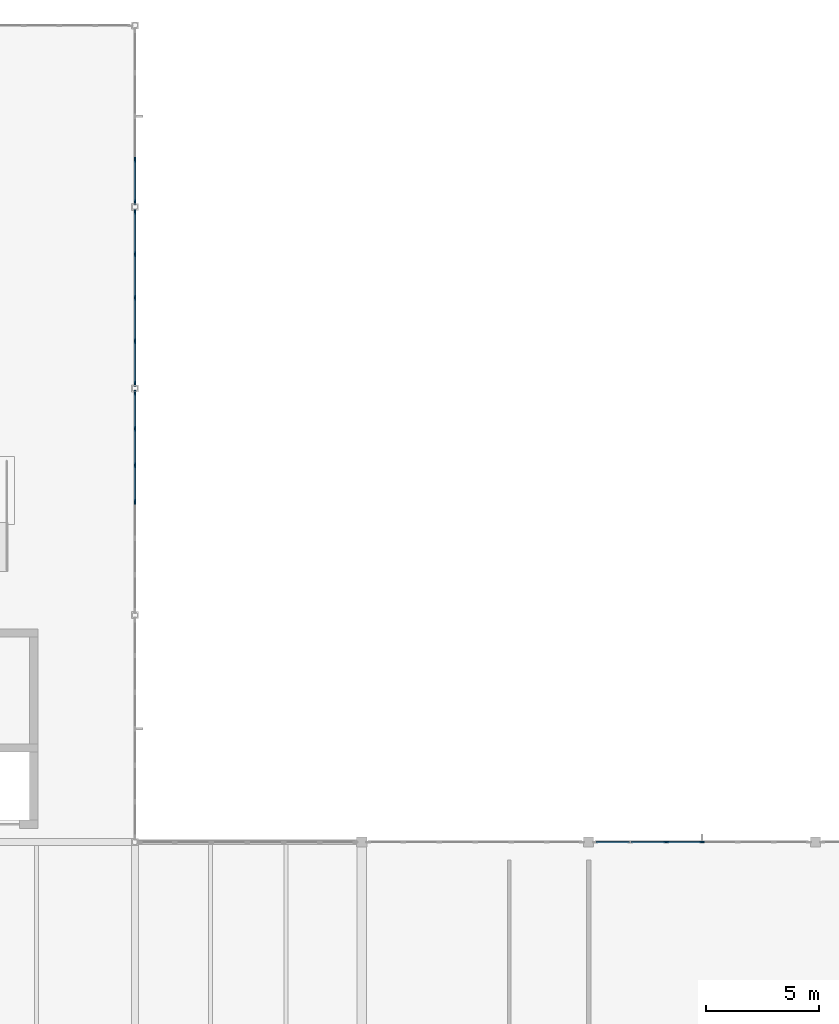
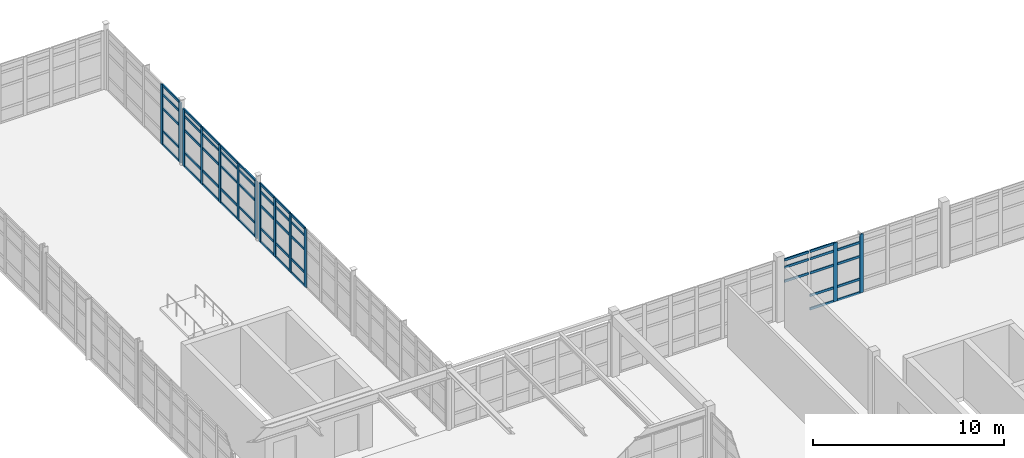
# One storey, part 69 of 122: 65 members, 4 elements without a shape of their own.
"""IFC4 building model written with IfcOpenShell, lengths in metres."""

from ifc_helpers import new_model, si_unit, direction, frame, origin, origin_2d, place, context, subcontext, project, spatial, rectangle, extrude, material, layer, layer_set, material_profile, profile_set, type_object, element, aggregate, save


model = new_model("IFC4")

# Units and contexts
model_context = context("Model", 3, precision=1e-05, world=origin(), true_north=direction((0.0, 1.0)))
body_context = subcontext(model_context, "Body", "Model", "MODEL_VIEW")
ifc_project = project(units=[si_unit("LENGTHUNIT", "METRE"), si_unit("AREAUNIT", "SQUARE_METRE"), si_unit("VOLUMEUNIT", "CUBIC_METRE"), si_unit("PLANEANGLEUNIT", "RADIAN"), si_unit("MASSUNIT", "GRAM", prefix="KILO"), si_unit("THERMODYNAMICTEMPERATUREUNIT", "KELVIN"), si_unit("POWERUNIT", "WATT")], contexts=[model_context])

# Site, building, storey
site_placement = place(None, origin())
site = spatial("IfcSite", under=ifc_project, at=site_placement, CompositionType="ELEMENT")
building_placement = place(site_placement, origin())
building = spatial("IfcBuilding", under=site, at=building_placement, Name="Korenveer Ferry Terminal", CompositionType="ELEMENT")
storey_placement = place(building_placement, frame((0.0, 0.0, 10.199951171875)))
storey = spatial("IfcBuildingStorey", under=building, at=storey_placement, Name="L02", CompositionType="ELEMENT", Elevation=10.199951171875)

# Curtain wall, members
ifc_material_1 = material(Name="Unitised bronze-and-glass curtain wall", Category="glass")
ifc_layer_1 = layer(ifc_material_1, 0.219970703125)
ifc_layer_set_1 = layer_set([ifc_layer_1], Name="Unitised bronze-and-glass curtain wall")
curtain_wall_type_1 = type_object("IfcCurtainWallType", Name="ENV-CW-100", PredefinedType="USERDEFINED", material=ifc_layer_set_1)
curtain_wall_1_placement = place(storey_placement, frame((156.2548828125, 80.0, 0.0)))
curtain_wall_1 = element("IfcCurtainWall", 1, at=curtain_wall_1_placement, inside=storey, type_object=curtain_wall_type_1, Name="Lancet curtain wall CWX-L02-X156-166-Y80-80", ObjectType="UNITISED CURTAIN WALL", PredefinedType="USERDEFINED")
ifc_material_2 = material(Name="Anodised bronze aluminium", Category="aluminium")
ifc_material_profile_1 = material_profile(ifc_material_2, rectangle(XDim=0.074951171875, YDim=0.219970703125, at=origin_2d()), Name="ALU 75x220")
ifc_profile_set_1 = profile_set([ifc_material_profile_1], Name="Anodised bronze aluminium")
member_type_1 = type_object("IfcMemberType", Name="ENV-CWM-75X220", PredefinedType="MULLION", material=ifc_profile_set_1)
member_1_placement = place(storey_placement, frame((159.418212890625, 80.0, 0.0), z_axis=(0.0, 0.0, 1.0), x_axis=(0.0, 1.0, 0.0)))
member_1 = element("IfcMember", 2, at=member_1_placement, type_object=member_type_1, Name="CW-100 mullion 3", PredefinedType="MULLION", context=body_context, shape_type="SweptSolid", body=[
    extrude(rectangle(XDim=0.074951171875, YDim=0.219970703125, at=origin_2d()), origin(), (0.0, 0.0, 1.0), 3.760009765625),
])
member_2_placement = place(storey_placement, frame((161.0, 80.0, 0.0), z_axis=(0.0, 0.0, 1.0), x_axis=(0.0, 1.0, 0.0)))
member_2 = element("IfcMember", 3, at=member_2_placement, type_object=member_type_1, Name="CW-100 mullion 4", PredefinedType="MULLION", context=body_context, shape_type="SweptSolid", body=[
    extrude(rectangle(XDim=0.074951171875, YDim=0.219970703125, at=origin_2d()), origin(), (0.0, 0.0, 1.0), 3.760009765625),
])

ifc_layer_2 = layer(ifc_material_1, 0.219970703125)
ifc_layer_set_2 = layer_set([ifc_layer_2], Name="Unitised bronze-and-glass curtain wall")
curtain_wall_type_2 = type_object("IfcCurtainWallType", Name="ENV-CW-111", PredefinedType="USERDEFINED", material=ifc_layer_set_2)
curtain_wall_2_placement = place(storey_placement, frame((136.0, 99.83349609375, 0.0)))
curtain_wall_2 = element("IfcCurtainWall", 4, at=curtain_wall_2_placement, inside=storey, type_object=curtain_wall_type_2, Name="Lancet curtain wall CWX-L02-X136-136-Y90-100", ObjectType="UNITISED CURTAIN WALL", PredefinedType="USERDEFINED")
member_3_placement = place(storey_placement, frame((136.0, 99.7958984375, 0.0), z_axis=(0.0, 0.0, 1.0), x_axis=(1.0, 0.0, 0.0)))
member_3 = element("IfcMember", 5, at=member_3_placement, type_object=member_type_1, Name="CW-111 mullion 1", PredefinedType="MULLION", context=body_context, shape_type="SweptSolid", body=[
    extrude(rectangle(XDim=0.074951171875, YDim=0.219970703125, at=origin_2d()), origin(), (0.0, 0.0, 1.0), 3.760009765625),
])
member_4_placement = place(storey_placement, frame((136.0, 98.222412109375, 0.0), z_axis=(0.0, 0.0, 1.0), x_axis=(1.0, 0.0, 0.0)))
member_4 = element("IfcMember", 6, at=member_4_placement, type_object=member_type_1, Name="CW-111 mullion 2", PredefinedType="MULLION", context=body_context, shape_type="SweptSolid", body=[
    extrude(rectangle(XDim=0.074951171875, YDim=0.219970703125, at=origin_2d()), origin(), (0.0, 0.0, 1.0), 3.760009765625),
])
member_5_placement = place(storey_placement, frame((136.0, 96.611083984375, 0.0), z_axis=(0.0, 0.0, 1.0), x_axis=(1.0, 0.0, 0.0)))
member_5 = element("IfcMember", 7, at=member_5_placement, type_object=member_type_1, Name="CW-111 mullion 3", PredefinedType="MULLION", context=body_context, shape_type="SweptSolid", body=[
    extrude(rectangle(XDim=0.074951171875, YDim=0.219970703125, at=origin_2d()), origin(), (0.0, 0.0, 1.0), 3.760009765625),
])
member_6_placement = place(storey_placement, frame((136.0, 95.0, 0.0), z_axis=(0.0, 0.0, 1.0), x_axis=(1.0, 0.0, 0.0)))
member_6 = element("IfcMember", 8, at=member_6_placement, type_object=member_type_1, Name="CW-111 mullion 4", PredefinedType="MULLION", context=body_context, shape_type="SweptSolid", body=[
    extrude(rectangle(XDim=0.074951171875, YDim=0.219970703125, at=origin_2d()), origin(), (0.0, 0.0, 1.0), 3.760009765625),
])

ifc_layer_3 = layer(ifc_material_1, 0.219970703125)
ifc_layer_set_3 = layer_set([ifc_layer_3], Name="Unitised bronze-and-glass curtain wall")
curtain_wall_type_3 = type_object("IfcCurtainWallType", Name="ENV-CW-112", PredefinedType="USERDEFINED", material=ifc_layer_set_3)
curtain_wall_3_placement = place(storey_placement, frame((136.0, 107.83349609375, 0.0)))
curtain_wall_3 = element("IfcCurtainWall", 9, at=curtain_wall_3_placement, inside=storey, type_object=curtain_wall_type_3, Name="Lancet curtain wall CWX-L02-X136-136-Y100-108", ObjectType="UNITISED CURTAIN WALL", PredefinedType="USERDEFINED")
member_7_placement = place(storey_placement, frame((136.0, 107.7958984375, 0.0), z_axis=(0.0, 0.0, 1.0), x_axis=(1.0, 0.0, 0.0)))
member_7 = element("IfcMember", 10, at=member_7_placement, type_object=member_type_1, Name="CW-112 mullion 1", PredefinedType="MULLION", context=body_context, shape_type="SweptSolid", body=[
    extrude(rectangle(XDim=0.074951171875, YDim=0.219970703125, at=origin_2d()), origin(), (0.0, 0.0, 1.0), 3.66015625),
])
member_8_placement = place(storey_placement, frame((136.0, 105.916748046875, 0.0), z_axis=(0.0, 0.0, 1.0), x_axis=(1.0, 0.0, 0.0)))
member_8 = element("IfcMember", 11, at=member_8_placement, type_object=member_type_1, Name="CW-112 mullion 2", PredefinedType="MULLION", context=body_context, shape_type="SweptSolid", body=[
    extrude(rectangle(XDim=0.074951171875, YDim=0.219970703125, at=origin_2d()), origin(), (0.0, 0.0, 1.0), 3.66015625),
])
member_9_placement = place(storey_placement, frame((136.0, 104.0, 0.0), z_axis=(0.0, 0.0, 1.0), x_axis=(1.0, 0.0, 0.0)))
member_9 = element("IfcMember", 12, at=member_9_placement, type_object=member_type_1, Name="CW-112 mullion 3", PredefinedType="MULLION", context=body_context, shape_type="SweptSolid", body=[
    extrude(rectangle(XDim=0.074951171875, YDim=0.219970703125, at=origin_2d()), origin(), (0.0, 0.0, 1.0), 3.66015625),
])
member_10_placement = place(storey_placement, frame((136.0, 102.083251953125, 0.0), z_axis=(0.0, 0.0, 1.0), x_axis=(1.0, 0.0, 0.0)))
member_10 = element("IfcMember", 13, at=member_10_placement, type_object=member_type_1, Name="CW-112 mullion 4", PredefinedType="MULLION", context=body_context, shape_type="SweptSolid", body=[
    extrude(rectangle(XDim=0.074951171875, YDim=0.219970703125, at=origin_2d()), origin(), (0.0, 0.0, 1.0), 3.66015625),
])
member_11_placement = place(storey_placement, frame((136.0, 100.2041015625, 0.0), z_axis=(0.0, 0.0, 1.0), x_axis=(1.0, 0.0, 0.0)))
member_11 = element("IfcMember", 14, at=member_11_placement, type_object=member_type_1, Name="CW-112 mullion 5", PredefinedType="MULLION", context=body_context, shape_type="SweptSolid", body=[
    extrude(rectangle(XDim=0.074951171875, YDim=0.219970703125, at=origin_2d()), origin(), (0.0, 0.0, 1.0), 3.66015625),
])

ifc_layer_4 = layer(ifc_material_1, 0.219970703125)
ifc_layer_set_4 = layer_set([ifc_layer_4], Name="Unitised bronze-and-glass curtain wall")
curtain_wall_type_4 = type_object("IfcCurtainWallType", Name="ENV-CW-113", PredefinedType="USERDEFINED", material=ifc_layer_set_4)
curtain_wall_4_placement = place(storey_placement, frame((136.0, 115.83349609375, 0.0)))
curtain_wall_4 = element("IfcCurtainWall", 15, at=curtain_wall_4_placement, inside=storey, type_object=curtain_wall_type_4, Name="Lancet curtain wall CWX-L02-X136-136-Y108-116", ObjectType="UNITISED CURTAIN WALL", PredefinedType="USERDEFINED")
member_12_placement = place(storey_placement, frame((136.0, 110.083251953125, 0.0), z_axis=(0.0, 0.0, 1.0), x_axis=(1.0, 0.0, 0.0)))
member_12 = element("IfcMember", 16, at=member_12_placement, type_object=member_type_1, Name="CW-113 mullion 4", PredefinedType="MULLION", context=body_context, shape_type="SweptSolid", body=[
    extrude(rectangle(XDim=0.074951171875, YDim=0.219970703125, at=origin_2d()), origin(), (0.0, 0.0, 1.0), 3.860107421875),
])
member_13_placement = place(storey_placement, frame((136.0, 108.2041015625, 0.0), z_axis=(0.0, 0.0, 1.0), x_axis=(1.0, 0.0, 0.0)))
member_13 = element("IfcMember", 17, at=member_13_placement, type_object=member_type_1, Name="CW-113 mullion 5", PredefinedType="MULLION", context=body_context, shape_type="SweptSolid", body=[
    extrude(rectangle(XDim=0.074951171875, YDim=0.219970703125, at=origin_2d()), origin(), (0.0, 0.0, 1.0), 3.860107421875),
])

# Member
ifc_material_profile_2 = material_profile(ifc_material_2, rectangle(XDim=0.074951171875, YDim=0.14990234375, at=origin_2d()), Name="ALU 75x150")
ifc_profile_set_2 = profile_set([ifc_material_profile_2], Name="Anodised bronze aluminium")
member_type_2 = type_object("IfcMemberType", Name="ENV-CWT-75X150", PredefinedType="USERDEFINED", material=ifc_profile_set_2)
member_14_placement = place(storey_placement, frame((156.330078125, 80.0, 2.35009765625), z_axis=(1.0, 0.0, 0.0), x_axis=(0.0, 1.0, 0.0)))
member_14 = element("IfcMember", 18, at=member_14_placement, type_object=member_type_2, Name="CW-100 transom 1.3", ObjectType="TRANSOM", PredefinedType="USERDEFINED", context=body_context, shape_type="SweptSolid", body=[
    extrude(rectangle(XDim=0.074951171875, YDim=0.14990234375, at=origin_2d()), origin(), (0.0, 0.0, 1.0), 1.468994140625),
])

member_15_placement = place(storey_placement, frame((156.330078125, 80.0, 3.25), z_axis=(1.0, 0.0, 0.0), x_axis=(0.0, 1.0, 0.0)))
member_15 = element("IfcMember", 19, at=member_15_placement, type_object=member_type_2, Name="CW-100 transom 1.4", ObjectType="TRANSOM", PredefinedType="USERDEFINED", context=body_context, shape_type="SweptSolid", body=[
    extrude(rectangle(XDim=0.074951171875, YDim=0.14990234375, at=origin_2d()), origin(), (0.0, 0.0, 1.0), 1.468994140625),
])

member_16_placement = place(storey_placement, frame((156.330078125, 80.0, 3.72265625), z_axis=(1.0, 0.0, 0.0), x_axis=(0.0, 1.0, 0.0)))
member_16 = element("IfcMember", 20, at=member_16_placement, type_object=member_type_2, Name="CW-100 transom 1.5", ObjectType="TRANSOM", PredefinedType="USERDEFINED", context=body_context, shape_type="SweptSolid", body=[
    extrude(rectangle(XDim=0.074951171875, YDim=0.14990234375, at=origin_2d()), origin(), (0.0, 0.0, 1.0), 1.468994140625),
])

member_17_placement = place(storey_placement, frame((157.874267578125, 80.0, 0.03759765625), z_axis=(1.0, 0.0, 0.0), x_axis=(0.0, 1.0, 0.0)))
member_17 = element("IfcMember", 21, at=member_17_placement, type_object=member_type_2, Name="CW-100 transom 2.1", ObjectType="TRANSOM", PredefinedType="USERDEFINED", context=body_context, shape_type="SweptSolid", body=[
    extrude(rectangle(XDim=0.074951171875, YDim=0.14990234375, at=origin_2d()), origin(), (0.0, 0.0, 1.0), 1.506591796875),
])

member_18_placement = place(storey_placement, frame((157.874267578125, 80.0, 0.900146484375), z_axis=(1.0, 0.0, 0.0), x_axis=(0.0, 1.0, 0.0)))
member_18 = element("IfcMember", 22, at=member_18_placement, type_object=member_type_2, Name="CW-100 transom 2.2", ObjectType="TRANSOM", PredefinedType="USERDEFINED", context=body_context, shape_type="SweptSolid", body=[
    extrude(rectangle(XDim=0.074951171875, YDim=0.14990234375, at=origin_2d()), origin(), (0.0, 0.0, 1.0), 1.506591796875),
])

member_19_placement = place(storey_placement, frame((157.874267578125, 80.0, 2.35009765625), z_axis=(1.0, 0.0, 0.0), x_axis=(0.0, 1.0, 0.0)))
member_19 = element("IfcMember", 23, at=member_19_placement, type_object=member_type_2, Name="CW-100 transom 2.3", ObjectType="TRANSOM", PredefinedType="USERDEFINED", context=body_context, shape_type="SweptSolid", body=[
    extrude(rectangle(XDim=0.074951171875, YDim=0.14990234375, at=origin_2d()), origin(), (0.0, 0.0, 1.0), 1.506591796875),
])

member_20_placement = place(storey_placement, frame((157.874267578125, 80.0, 3.25), z_axis=(1.0, 0.0, 0.0), x_axis=(0.0, 1.0, 0.0)))
member_20 = element("IfcMember", 24, at=member_20_placement, type_object=member_type_2, Name="CW-100 transom 2.4", ObjectType="TRANSOM", PredefinedType="USERDEFINED", context=body_context, shape_type="SweptSolid", body=[
    extrude(rectangle(XDim=0.074951171875, YDim=0.14990234375, at=origin_2d()), origin(), (0.0, 0.0, 1.0), 1.506591796875),
])

member_21_placement = place(storey_placement, frame((157.874267578125, 80.0, 3.72265625), z_axis=(1.0, 0.0, 0.0), x_axis=(0.0, 1.0, 0.0)))
member_21 = element("IfcMember", 25, at=member_21_placement, type_object=member_type_2, Name="CW-100 transom 2.5", ObjectType="TRANSOM", PredefinedType="USERDEFINED", context=body_context, shape_type="SweptSolid", body=[
    extrude(rectangle(XDim=0.074951171875, YDim=0.14990234375, at=origin_2d()), origin(), (0.0, 0.0, 1.0), 1.506591796875),
])

member_22_placement = place(storey_placement, frame((159.455810546875, 80.0, 0.03759765625), z_axis=(1.0, 0.0, 0.0), x_axis=(0.0, 1.0, 0.0)))
member_22 = element("IfcMember", 26, at=member_22_placement, type_object=member_type_2, Name="CW-100 transom 3.1", ObjectType="TRANSOM", PredefinedType="USERDEFINED", context=body_context, shape_type="SweptSolid", body=[
    extrude(rectangle(XDim=0.074951171875, YDim=0.14990234375, at=origin_2d()), origin(), (0.0, 0.0, 1.0), 1.506591796875),
])

member_23_placement = place(storey_placement, frame((159.455810546875, 80.0, 0.900146484375), z_axis=(1.0, 0.0, 0.0), x_axis=(0.0, 1.0, 0.0)))
member_23 = element("IfcMember", 27, at=member_23_placement, type_object=member_type_2, Name="CW-100 transom 3.2", ObjectType="TRANSOM", PredefinedType="USERDEFINED", context=body_context, shape_type="SweptSolid", body=[
    extrude(rectangle(XDim=0.074951171875, YDim=0.14990234375, at=origin_2d()), origin(), (0.0, 0.0, 1.0), 1.506591796875),
])

member_24_placement = place(storey_placement, frame((159.455810546875, 80.0, 2.35009765625), z_axis=(1.0, 0.0, 0.0), x_axis=(0.0, 1.0, 0.0)))
member_24 = element("IfcMember", 28, at=member_24_placement, type_object=member_type_2, Name="CW-100 transom 3.3", ObjectType="TRANSOM", PredefinedType="USERDEFINED", context=body_context, shape_type="SweptSolid", body=[
    extrude(rectangle(XDim=0.074951171875, YDim=0.14990234375, at=origin_2d()), origin(), (0.0, 0.0, 1.0), 1.506591796875),
])

member_25_placement = place(storey_placement, frame((159.455810546875, 80.0, 3.25), z_axis=(1.0, 0.0, 0.0), x_axis=(0.0, 1.0, 0.0)))
member_25 = element("IfcMember", 29, at=member_25_placement, type_object=member_type_2, Name="CW-100 transom 3.4", ObjectType="TRANSOM", PredefinedType="USERDEFINED", context=body_context, shape_type="SweptSolid", body=[
    extrude(rectangle(XDim=0.074951171875, YDim=0.14990234375, at=origin_2d()), origin(), (0.0, 0.0, 1.0), 1.506591796875),
])

aggregate(curtain_wall_1, [member_1, member_2, member_14, member_15, member_16, member_17, member_18, member_19, member_20, member_21, member_22, member_23, member_24, member_25])

member_26_placement = place(storey_placement, frame((136.0, 99.758544921875, 0.03759765625), z_axis=(0.0, -1.0, 0.0), x_axis=(1.0, 0.0, 0.0)))
member_26 = element("IfcMember", 30, at=member_26_placement, type_object=member_type_2, Name="CW-111 transom 1.1", ObjectType="TRANSOM", PredefinedType="USERDEFINED", context=body_context, shape_type="SweptSolid", body=[
    extrude(rectangle(XDim=0.074951171875, YDim=0.14990234375, at=origin_2d()), origin(), (0.0, 0.0, 1.0), 1.498779296875),
])

member_27_placement = place(storey_placement, frame((136.0, 99.758544921875, 0.900146484375), z_axis=(0.0, -1.0, 0.0), x_axis=(1.0, 0.0, 0.0)))
member_27 = element("IfcMember", 31, at=member_27_placement, type_object=member_type_2, Name="CW-111 transom 1.2", ObjectType="TRANSOM", PredefinedType="USERDEFINED", context=body_context, shape_type="SweptSolid", body=[
    extrude(rectangle(XDim=0.074951171875, YDim=0.14990234375, at=origin_2d()), origin(), (0.0, 0.0, 1.0), 1.498779296875),
])

member_28_placement = place(storey_placement, frame((136.0, 99.758544921875, 2.35009765625), z_axis=(0.0, -1.0, 0.0), x_axis=(1.0, 0.0, 0.0)))
member_28 = element("IfcMember", 32, at=member_28_placement, type_object=member_type_2, Name="CW-111 transom 1.3", ObjectType="TRANSOM", PredefinedType="USERDEFINED", context=body_context, shape_type="SweptSolid", body=[
    extrude(rectangle(XDim=0.074951171875, YDim=0.14990234375, at=origin_2d()), origin(), (0.0, 0.0, 1.0), 1.498779296875),
])

member_29_placement = place(storey_placement, frame((136.0, 99.758544921875, 3.25), z_axis=(0.0, -1.0, 0.0), x_axis=(1.0, 0.0, 0.0)))
member_29 = element("IfcMember", 33, at=member_29_placement, type_object=member_type_2, Name="CW-111 transom 1.4", ObjectType="TRANSOM", PredefinedType="USERDEFINED", context=body_context, shape_type="SweptSolid", body=[
    extrude(rectangle(XDim=0.074951171875, YDim=0.14990234375, at=origin_2d()), origin(), (0.0, 0.0, 1.0), 1.498779296875),
])

member_30_placement = place(storey_placement, frame((136.0, 99.758544921875, 3.72265625), z_axis=(0.0, -1.0, 0.0), x_axis=(1.0, 0.0, 0.0)))
member_30 = element("IfcMember", 34, at=member_30_placement, type_object=member_type_2, Name="CW-111 transom 1.5", ObjectType="TRANSOM", PredefinedType="USERDEFINED", context=body_context, shape_type="SweptSolid", body=[
    extrude(rectangle(XDim=0.074951171875, YDim=0.14990234375, at=origin_2d()), origin(), (0.0, 0.0, 1.0), 1.498779296875),
])

member_31_placement = place(storey_placement, frame((136.0, 98.184814453125, 0.03759765625), z_axis=(0.0, -1.0, 0.0), x_axis=(1.0, 0.0, 0.0)))
member_31 = element("IfcMember", 35, at=member_31_placement, type_object=member_type_2, Name="CW-111 transom 2.1", ObjectType="TRANSOM", PredefinedType="USERDEFINED", context=body_context, shape_type="SweptSolid", body=[
    extrude(rectangle(XDim=0.074951171875, YDim=0.14990234375, at=origin_2d()), origin(), (0.0, 0.0, 1.0), 1.5361328125),
])

member_32_placement = place(storey_placement, frame((136.0, 98.184814453125, 0.900146484375), z_axis=(0.0, -1.0, 0.0), x_axis=(1.0, 0.0, 0.0)))
member_32 = element("IfcMember", 36, at=member_32_placement, type_object=member_type_2, Name="CW-111 transom 2.2", ObjectType="TRANSOM", PredefinedType="USERDEFINED", context=body_context, shape_type="SweptSolid", body=[
    extrude(rectangle(XDim=0.074951171875, YDim=0.14990234375, at=origin_2d()), origin(), (0.0, 0.0, 1.0), 1.5361328125),
])

member_33_placement = place(storey_placement, frame((136.0, 98.184814453125, 2.35009765625), z_axis=(0.0, -1.0, 0.0), x_axis=(1.0, 0.0, 0.0)))
member_33 = element("IfcMember", 37, at=member_33_placement, type_object=member_type_2, Name="CW-111 transom 2.3", ObjectType="TRANSOM", PredefinedType="USERDEFINED", context=body_context, shape_type="SweptSolid", body=[
    extrude(rectangle(XDim=0.074951171875, YDim=0.14990234375, at=origin_2d()), origin(), (0.0, 0.0, 1.0), 1.5361328125),
])

member_34_placement = place(storey_placement, frame((136.0, 98.184814453125, 3.25), z_axis=(0.0, -1.0, 0.0), x_axis=(1.0, 0.0, 0.0)))
member_34 = element("IfcMember", 38, at=member_34_placement, type_object=member_type_2, Name="CW-111 transom 2.4", ObjectType="TRANSOM", PredefinedType="USERDEFINED", context=body_context, shape_type="SweptSolid", body=[
    extrude(rectangle(XDim=0.074951171875, YDim=0.14990234375, at=origin_2d()), origin(), (0.0, 0.0, 1.0), 1.5361328125),
])

member_35_placement = place(storey_placement, frame((136.0, 98.184814453125, 3.72265625), z_axis=(0.0, -1.0, 0.0), x_axis=(1.0, 0.0, 0.0)))
member_35 = element("IfcMember", 39, at=member_35_placement, type_object=member_type_2, Name="CW-111 transom 2.5", ObjectType="TRANSOM", PredefinedType="USERDEFINED", context=body_context, shape_type="SweptSolid", body=[
    extrude(rectangle(XDim=0.074951171875, YDim=0.14990234375, at=origin_2d()), origin(), (0.0, 0.0, 1.0), 1.5361328125),
])

member_36_placement = place(storey_placement, frame((136.0, 96.57373046875, 0.03759765625), z_axis=(0.0, -1.0, 0.0), x_axis=(1.0, 0.0, 0.0)))
member_36 = element("IfcMember", 40, at=member_36_placement, type_object=member_type_2, Name="CW-111 transom 3.1", ObjectType="TRANSOM", PredefinedType="USERDEFINED", context=body_context, shape_type="SweptSolid", body=[
    extrude(rectangle(XDim=0.074951171875, YDim=0.14990234375, at=origin_2d()), origin(), (0.0, 0.0, 1.0), 1.5361328125),
])

member_37_placement = place(storey_placement, frame((136.0, 96.57373046875, 0.900146484375), z_axis=(0.0, -1.0, 0.0), x_axis=(1.0, 0.0, 0.0)))
member_37 = element("IfcMember", 41, at=member_37_placement, type_object=member_type_2, Name="CW-111 transom 3.2", ObjectType="TRANSOM", PredefinedType="USERDEFINED", context=body_context, shape_type="SweptSolid", body=[
    extrude(rectangle(XDim=0.074951171875, YDim=0.14990234375, at=origin_2d()), origin(), (0.0, 0.0, 1.0), 1.5361328125),
])

member_38_placement = place(storey_placement, frame((136.0, 96.57373046875, 2.35009765625), z_axis=(0.0, -1.0, 0.0), x_axis=(1.0, 0.0, 0.0)))
member_38 = element("IfcMember", 42, at=member_38_placement, type_object=member_type_2, Name="CW-111 transom 3.3", ObjectType="TRANSOM", PredefinedType="USERDEFINED", context=body_context, shape_type="SweptSolid", body=[
    extrude(rectangle(XDim=0.074951171875, YDim=0.14990234375, at=origin_2d()), origin(), (0.0, 0.0, 1.0), 1.5361328125),
])

member_39_placement = place(storey_placement, frame((136.0, 96.57373046875, 3.25), z_axis=(0.0, -1.0, 0.0), x_axis=(1.0, 0.0, 0.0)))
member_39 = element("IfcMember", 43, at=member_39_placement, type_object=member_type_2, Name="CW-111 transom 3.4", ObjectType="TRANSOM", PredefinedType="USERDEFINED", context=body_context, shape_type="SweptSolid", body=[
    extrude(rectangle(XDim=0.074951171875, YDim=0.14990234375, at=origin_2d()), origin(), (0.0, 0.0, 1.0), 1.5361328125),
])

member_40_placement = place(storey_placement, frame((136.0, 96.57373046875, 3.72265625), z_axis=(0.0, -1.0, 0.0), x_axis=(1.0, 0.0, 0.0)))
member_40 = element("IfcMember", 44, at=member_40_placement, type_object=member_type_2, Name="CW-111 transom 3.5", ObjectType="TRANSOM", PredefinedType="USERDEFINED", context=body_context, shape_type="SweptSolid", body=[
    extrude(rectangle(XDim=0.074951171875, YDim=0.14990234375, at=origin_2d()), origin(), (0.0, 0.0, 1.0), 1.5361328125),
])

aggregate(curtain_wall_2, [member_3, member_4, member_5, member_6, member_26, member_27, member_28, member_29, member_30, member_31, member_32, member_33, member_34, member_35, member_36, member_37, member_38, member_39, member_40])

member_41_placement = place(storey_placement, frame((136.0, 107.758544921875, 0.03759765625), z_axis=(0.0, -1.0, 0.0), x_axis=(1.0, 0.0, 0.0)))
member_41 = element("IfcMember", 45, at=member_41_placement, type_object=member_type_2, Name="CW-112 transom 1.1", ObjectType="TRANSOM", PredefinedType="USERDEFINED", context=body_context, shape_type="SweptSolid", body=[
    extrude(rectangle(XDim=0.074951171875, YDim=0.14990234375, at=origin_2d()), origin(), (0.0, 0.0, 1.0), 1.80419921875),
])

member_42_placement = place(storey_placement, frame((136.0, 107.758544921875, 0.900146484375), z_axis=(0.0, -1.0, 0.0), x_axis=(1.0, 0.0, 0.0)))
member_42 = element("IfcMember", 46, at=member_42_placement, type_object=member_type_2, Name="CW-112 transom 1.2", ObjectType="TRANSOM", PredefinedType="USERDEFINED", context=body_context, shape_type="SweptSolid", body=[
    extrude(rectangle(XDim=0.074951171875, YDim=0.14990234375, at=origin_2d()), origin(), (0.0, 0.0, 1.0), 1.80419921875),
])

member_43_placement = place(storey_placement, frame((136.0, 107.758544921875, 2.35009765625), z_axis=(0.0, -1.0, 0.0), x_axis=(1.0, 0.0, 0.0)))
member_43 = element("IfcMember", 47, at=member_43_placement, type_object=member_type_2, Name="CW-112 transom 1.3", ObjectType="TRANSOM", PredefinedType="USERDEFINED", context=body_context, shape_type="SweptSolid", body=[
    extrude(rectangle(XDim=0.074951171875, YDim=0.14990234375, at=origin_2d()), origin(), (0.0, 0.0, 1.0), 1.80419921875),
])

member_44_placement = place(storey_placement, frame((136.0, 107.758544921875, 3.25), z_axis=(0.0, -1.0, 0.0), x_axis=(1.0, 0.0, 0.0)))
member_44 = element("IfcMember", 48, at=member_44_placement, type_object=member_type_2, Name="CW-112 transom 1.4", ObjectType="TRANSOM", PredefinedType="USERDEFINED", context=body_context, shape_type="SweptSolid", body=[
    extrude(rectangle(XDim=0.074951171875, YDim=0.14990234375, at=origin_2d()), origin(), (0.0, 0.0, 1.0), 1.80419921875),
])

member_45_placement = place(storey_placement, frame((136.0, 107.758544921875, 3.62255859375), z_axis=(0.0, -1.0, 0.0), x_axis=(1.0, 0.0, 0.0)))
member_45 = element("IfcMember", 49, at=member_45_placement, type_object=member_type_2, Name="CW-112 transom 1.5", ObjectType="TRANSOM", PredefinedType="USERDEFINED", context=body_context, shape_type="SweptSolid", body=[
    extrude(rectangle(XDim=0.074951171875, YDim=0.14990234375, at=origin_2d()), origin(), (0.0, 0.0, 1.0), 1.80419921875),
])

member_46_placement = place(storey_placement, frame((136.0, 105.879150390625, 0.03759765625), z_axis=(0.0, -1.0, 0.0), x_axis=(1.0, 0.0, 0.0)))
member_46 = element("IfcMember", 50, at=member_46_placement, type_object=member_type_2, Name="CW-112 transom 2.1", ObjectType="TRANSOM", PredefinedType="USERDEFINED", context=body_context, shape_type="SweptSolid", body=[
    extrude(rectangle(XDim=0.074951171875, YDim=0.14990234375, at=origin_2d()), origin(), (0.0, 0.0, 1.0), 1.841552734375),
])

member_47_placement = place(storey_placement, frame((136.0, 105.879150390625, 0.900146484375), z_axis=(0.0, -1.0, 0.0), x_axis=(1.0, 0.0, 0.0)))
member_47 = element("IfcMember", 51, at=member_47_placement, type_object=member_type_2, Name="CW-112 transom 2.2", ObjectType="TRANSOM", PredefinedType="USERDEFINED", context=body_context, shape_type="SweptSolid", body=[
    extrude(rectangle(XDim=0.074951171875, YDim=0.14990234375, at=origin_2d()), origin(), (0.0, 0.0, 1.0), 1.841552734375),
])

member_48_placement = place(storey_placement, frame((136.0, 105.879150390625, 2.35009765625), z_axis=(0.0, -1.0, 0.0), x_axis=(1.0, 0.0, 0.0)))
member_48 = element("IfcMember", 52, at=member_48_placement, type_object=member_type_2, Name="CW-112 transom 2.3", ObjectType="TRANSOM", PredefinedType="USERDEFINED", context=body_context, shape_type="SweptSolid", body=[
    extrude(rectangle(XDim=0.074951171875, YDim=0.14990234375, at=origin_2d()), origin(), (0.0, 0.0, 1.0), 1.841552734375),
])

member_49_placement = place(storey_placement, frame((136.0, 105.879150390625, 3.25), z_axis=(0.0, -1.0, 0.0), x_axis=(1.0, 0.0, 0.0)))
member_49 = element("IfcMember", 53, at=member_49_placement, type_object=member_type_2, Name="CW-112 transom 2.4", ObjectType="TRANSOM", PredefinedType="USERDEFINED", context=body_context, shape_type="SweptSolid", body=[
    extrude(rectangle(XDim=0.074951171875, YDim=0.14990234375, at=origin_2d()), origin(), (0.0, 0.0, 1.0), 1.841552734375),
])

member_50_placement = place(storey_placement, frame((136.0, 105.879150390625, 3.62255859375), z_axis=(0.0, -1.0, 0.0), x_axis=(1.0, 0.0, 0.0)))
member_50 = element("IfcMember", 54, at=member_50_placement, type_object=member_type_2, Name="CW-112 transom 2.5", ObjectType="TRANSOM", PredefinedType="USERDEFINED", context=body_context, shape_type="SweptSolid", body=[
    extrude(rectangle(XDim=0.074951171875, YDim=0.14990234375, at=origin_2d()), origin(), (0.0, 0.0, 1.0), 1.841552734375),
])

member_51_placement = place(storey_placement, frame((136.0, 103.96240234375, 0.03759765625), z_axis=(0.0, -1.0, 0.0), x_axis=(1.0, 0.0, 0.0)))
member_51 = element("IfcMember", 55, at=member_51_placement, type_object=member_type_2, Name="CW-112 transom 3.1", ObjectType="TRANSOM", PredefinedType="USERDEFINED", context=body_context, shape_type="SweptSolid", body=[
    extrude(rectangle(XDim=0.074951171875, YDim=0.14990234375, at=origin_2d()), origin(), (0.0, 0.0, 1.0), 1.841552734375),
])

member_52_placement = place(storey_placement, frame((136.0, 103.96240234375, 0.900146484375), z_axis=(0.0, -1.0, 0.0), x_axis=(1.0, 0.0, 0.0)))
member_52 = element("IfcMember", 56, at=member_52_placement, type_object=member_type_2, Name="CW-112 transom 3.2", ObjectType="TRANSOM", PredefinedType="USERDEFINED", context=body_context, shape_type="SweptSolid", body=[
    extrude(rectangle(XDim=0.074951171875, YDim=0.14990234375, at=origin_2d()), origin(), (0.0, 0.0, 1.0), 1.841552734375),
])

member_53_placement = place(storey_placement, frame((136.0, 103.96240234375, 2.35009765625), z_axis=(0.0, -1.0, 0.0), x_axis=(1.0, 0.0, 0.0)))
member_53 = element("IfcMember", 57, at=member_53_placement, type_object=member_type_2, Name="CW-112 transom 3.3", ObjectType="TRANSOM", PredefinedType="USERDEFINED", context=body_context, shape_type="SweptSolid", body=[
    extrude(rectangle(XDim=0.074951171875, YDim=0.14990234375, at=origin_2d()), origin(), (0.0, 0.0, 1.0), 1.841552734375),
])

member_54_placement = place(storey_placement, frame((136.0, 103.96240234375, 3.25), z_axis=(0.0, -1.0, 0.0), x_axis=(1.0, 0.0, 0.0)))
member_54 = element("IfcMember", 58, at=member_54_placement, type_object=member_type_2, Name="CW-112 transom 3.4", ObjectType="TRANSOM", PredefinedType="USERDEFINED", context=body_context, shape_type="SweptSolid", body=[
    extrude(rectangle(XDim=0.074951171875, YDim=0.14990234375, at=origin_2d()), origin(), (0.0, 0.0, 1.0), 1.841552734375),
])

member_55_placement = place(storey_placement, frame((136.0, 103.96240234375, 3.62255859375), z_axis=(0.0, -1.0, 0.0), x_axis=(1.0, 0.0, 0.0)))
member_55 = element("IfcMember", 59, at=member_55_placement, type_object=member_type_2, Name="CW-112 transom 3.5", ObjectType="TRANSOM", PredefinedType="USERDEFINED", context=body_context, shape_type="SweptSolid", body=[
    extrude(rectangle(XDim=0.074951171875, YDim=0.14990234375, at=origin_2d()), origin(), (0.0, 0.0, 1.0), 1.841552734375),
])

member_56_placement = place(storey_placement, frame((136.0, 102.045654296875, 0.03759765625), z_axis=(0.0, -1.0, 0.0), x_axis=(1.0, 0.0, 0.0)))
member_56 = element("IfcMember", 60, at=member_56_placement, type_object=member_type_2, Name="CW-112 transom 4.1", ObjectType="TRANSOM", PredefinedType="USERDEFINED", context=body_context, shape_type="SweptSolid", body=[
    extrude(rectangle(XDim=0.074951171875, YDim=0.14990234375, at=origin_2d()), origin(), (0.0, 0.0, 1.0), 1.80419921875),
])

member_57_placement = place(storey_placement, frame((136.0, 102.045654296875, 0.900146484375), z_axis=(0.0, -1.0, 0.0), x_axis=(1.0, 0.0, 0.0)))
member_57 = element("IfcMember", 61, at=member_57_placement, type_object=member_type_2, Name="CW-112 transom 4.2", ObjectType="TRANSOM", PredefinedType="USERDEFINED", context=body_context, shape_type="SweptSolid", body=[
    extrude(rectangle(XDim=0.074951171875, YDim=0.14990234375, at=origin_2d()), origin(), (0.0, 0.0, 1.0), 1.80419921875),
])

member_58_placement = place(storey_placement, frame((136.0, 102.045654296875, 2.35009765625), z_axis=(0.0, -1.0, 0.0), x_axis=(1.0, 0.0, 0.0)))
member_58 = element("IfcMember", 62, at=member_58_placement, type_object=member_type_2, Name="CW-112 transom 4.3", ObjectType="TRANSOM", PredefinedType="USERDEFINED", context=body_context, shape_type="SweptSolid", body=[
    extrude(rectangle(XDim=0.074951171875, YDim=0.14990234375, at=origin_2d()), origin(), (0.0, 0.0, 1.0), 1.80419921875),
])

member_59_placement = place(storey_placement, frame((136.0, 102.045654296875, 3.25), z_axis=(0.0, -1.0, 0.0), x_axis=(1.0, 0.0, 0.0)))
member_59 = element("IfcMember", 63, at=member_59_placement, type_object=member_type_2, Name="CW-112 transom 4.4", ObjectType="TRANSOM", PredefinedType="USERDEFINED", context=body_context, shape_type="SweptSolid", body=[
    extrude(rectangle(XDim=0.074951171875, YDim=0.14990234375, at=origin_2d()), origin(), (0.0, 0.0, 1.0), 1.80419921875),
])

member_60_placement = place(storey_placement, frame((136.0, 102.045654296875, 3.62255859375), z_axis=(0.0, -1.0, 0.0), x_axis=(1.0, 0.0, 0.0)))
member_60 = element("IfcMember", 64, at=member_60_placement, type_object=member_type_2, Name="CW-112 transom 4.5", ObjectType="TRANSOM", PredefinedType="USERDEFINED", context=body_context, shape_type="SweptSolid", body=[
    extrude(rectangle(XDim=0.074951171875, YDim=0.14990234375, at=origin_2d()), origin(), (0.0, 0.0, 1.0), 1.80419921875),
])

aggregate(curtain_wall_3, [member_7, member_8, member_9, member_10, member_11, member_41, member_42, member_43, member_44, member_45, member_46, member_47, member_48, member_49, member_50, member_51, member_52, member_53, member_54, member_55, member_56, member_57, member_58, member_59, member_60])

member_61_placement = place(storey_placement, frame((136.0, 110.045654296875, 0.03759765625), z_axis=(0.0, -1.0, 0.0), x_axis=(1.0, 0.0, 0.0)))
member_61 = element("IfcMember", 65, at=member_61_placement, type_object=member_type_2, Name="CW-113 transom 4.1", ObjectType="TRANSOM", PredefinedType="USERDEFINED", context=body_context, shape_type="SweptSolid", body=[
    extrude(rectangle(XDim=0.074951171875, YDim=0.14990234375, at=origin_2d()), origin(), (0.0, 0.0, 1.0), 1.80419921875),
])

member_62_placement = place(storey_placement, frame((136.0, 110.045654296875, 0.900146484375), z_axis=(0.0, -1.0, 0.0), x_axis=(1.0, 0.0, 0.0)))
member_62 = element("IfcMember", 66, at=member_62_placement, type_object=member_type_2, Name="CW-113 transom 4.2", ObjectType="TRANSOM", PredefinedType="USERDEFINED", context=body_context, shape_type="SweptSolid", body=[
    extrude(rectangle(XDim=0.074951171875, YDim=0.14990234375, at=origin_2d()), origin(), (0.0, 0.0, 1.0), 1.80419921875),
])

member_63_placement = place(storey_placement, frame((136.0, 110.045654296875, 2.35009765625), z_axis=(0.0, -1.0, 0.0), x_axis=(1.0, 0.0, 0.0)))
member_63 = element("IfcMember", 67, at=member_63_placement, type_object=member_type_2, Name="CW-113 transom 4.3", ObjectType="TRANSOM", PredefinedType="USERDEFINED", context=body_context, shape_type="SweptSolid", body=[
    extrude(rectangle(XDim=0.074951171875, YDim=0.14990234375, at=origin_2d()), origin(), (0.0, 0.0, 1.0), 1.80419921875),
])

member_64_placement = place(storey_placement, frame((136.0, 110.045654296875, 3.25), z_axis=(0.0, -1.0, 0.0), x_axis=(1.0, 0.0, 0.0)))
member_64 = element("IfcMember", 68, at=member_64_placement, type_object=member_type_2, Name="CW-113 transom 4.4", ObjectType="TRANSOM", PredefinedType="USERDEFINED", context=body_context, shape_type="SweptSolid", body=[
    extrude(rectangle(XDim=0.074951171875, YDim=0.14990234375, at=origin_2d()), origin(), (0.0, 0.0, 1.0), 1.80419921875),
])

member_65_placement = place(storey_placement, frame((136.0, 110.045654296875, 3.822509765625), z_axis=(0.0, -1.0, 0.0), x_axis=(1.0, 0.0, 0.0)))
member_65 = element("IfcMember", 69, at=member_65_placement, type_object=member_type_2, Name="CW-113 transom 4.5", ObjectType="TRANSOM", PredefinedType="USERDEFINED", context=body_context, shape_type="SweptSolid", body=[
    extrude(rectangle(XDim=0.074951171875, YDim=0.14990234375, at=origin_2d()), origin(), (0.0, 0.0, 1.0), 1.80419921875),
])

aggregate(curtain_wall_4, [member_12, member_13, member_61, member_62, member_63, member_64, member_65])

save(model, "model.ifc")
